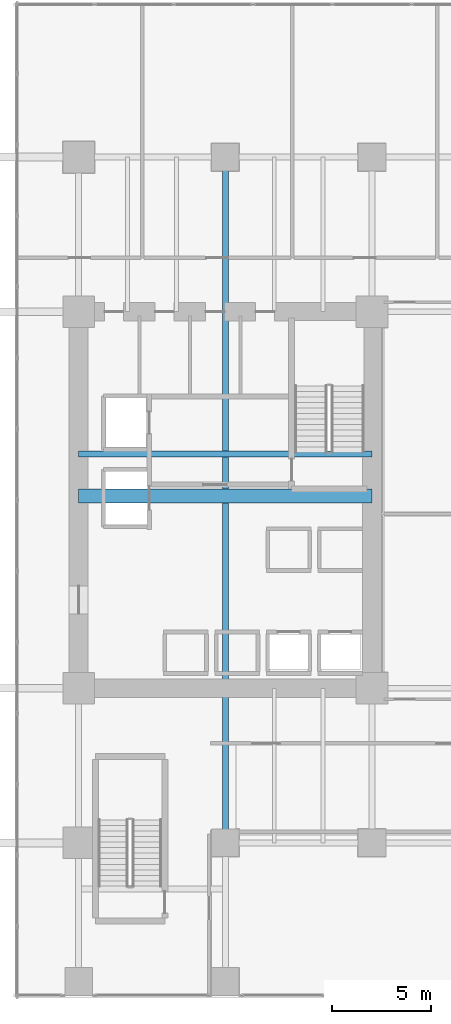
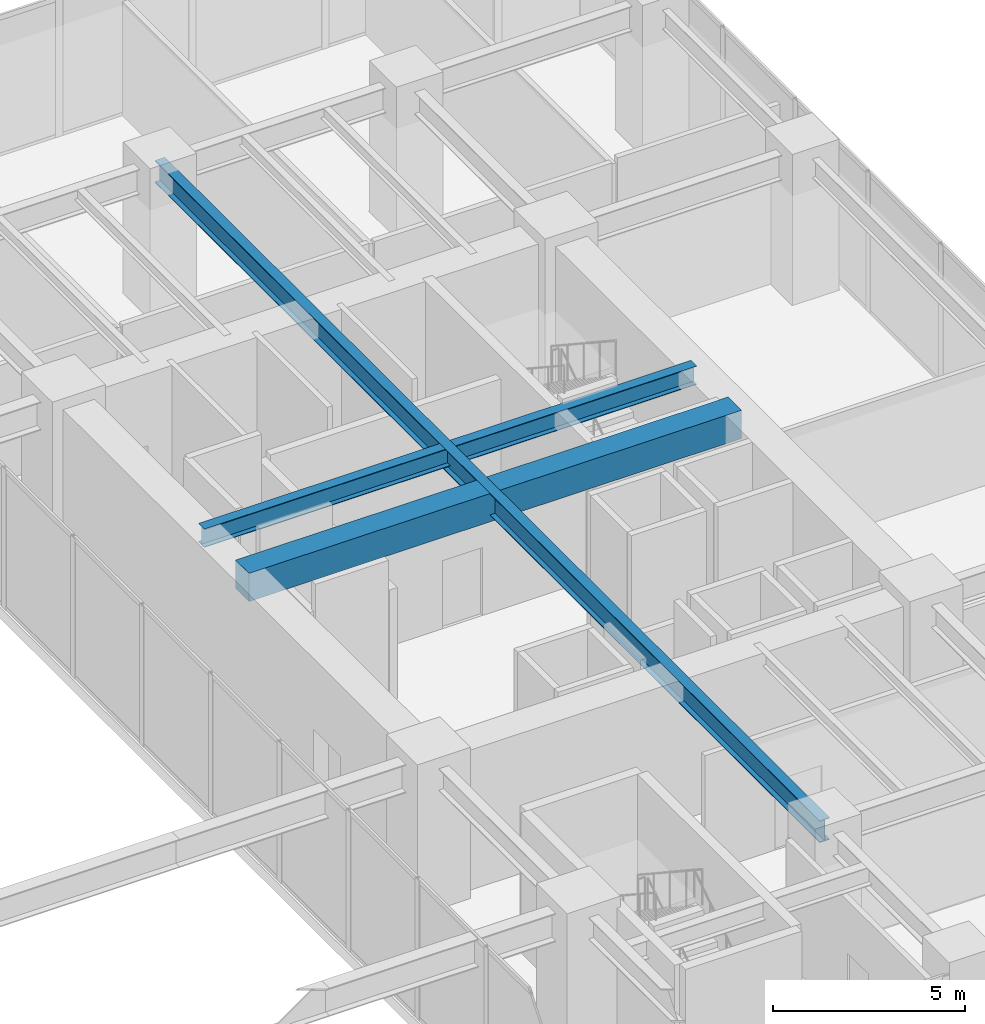
# One storey, part 14 of 39: 3 beams.
"""IFC4 building model written with IfcOpenShell, lengths in metres."""

from ifc_helpers import new_model, si_unit, direction, frame, origin, origin_2d, place, context, subcontext, project, spatial, rectangle, i_section, extrude, source, transform, mapped, material, material_profile, profile_set, type_object, type_shapes, element, save


model = new_model("IFC4")

# Units and contexts
model_context = context("Model", 3, precision=1e-05, world=origin(), true_north=direction((0.0, 1.0)))
body_context = subcontext(model_context, "Body", "Model", "MODEL_VIEW")
ifc_project = project(units=[si_unit("LENGTHUNIT", "METRE"), si_unit("AREAUNIT", "SQUARE_METRE"), si_unit("VOLUMEUNIT", "CUBIC_METRE"), si_unit("PLANEANGLEUNIT", "RADIAN"), si_unit("MASSUNIT", "GRAM", prefix="KILO")], contexts=[model_context])

# Site, building, storey
site_placement = place(None, origin())
site = spatial("IfcSite", under=ifc_project, at=site_placement, CompositionType="ELEMENT")
building_placement = place(site_placement, origin())
building = spatial("IfcBuilding", under=site, at=building_placement, Name="Haelvirn Gate Laboratories", CompositionType="ELEMENT")
storey_placement = place(building_placement, frame((0.0, 0.0, 15.0)))
storey = spatial("IfcBuildingStorey", under=building, at=storey_placement, Name="L04", CompositionType="ELEMENT", Elevation=15.0)

# Beams
ifc_material_1 = material(Name="Concrete C60/75", Category="concrete")
ifc_material_profile_1 = material_profile(ifc_material_1, rectangle(XDim=0.699951171875, YDim=0.89990234375, at=origin_2d()), Name="RCB-700x900")
ifc_profile_set_1 = profile_set([ifc_material_profile_1], Name="Concrete C60/75")
beam_type_1 = type_object("IfcBeamType", Name="BM-RCB-900", PredefinedType="LINTEL", material=ifc_profile_set_1)
shared_shape_1 = source(origin(), body_context, "Body", "SweptSolid", [
    extrude(rectangle(XDim=0.699951171875, YDim=0.89990234375, at=origin_2d()), origin(), (0.0, 0.0, 1.0), 14.7998046875),
])
type_shapes(beam_type_1, [shared_shape_1])
beam_1_placement = place(storey_placement, frame((52.60009765625, 24.5, 4.0), z_axis=(1.0, 0.0, 0.0), x_axis=(0.0, 1.0, 0.0)))
element("IfcBeam", 1, at=beam_1_placement, inside=storey, type_object=beam_type_1, Name="L04 East Core Coupling Beam", PredefinedType="LINTEL", context=body_context, shape_type="MappedRepresentation", body=[
    mapped(shared_shape_1, transform((0.0, 0.0, 0.0), scale=1.0)),
])
ifc_material_2 = material(Name="Steel SM355", Category="steel")
ifc_material_profile_2 = material_profile(ifc_material_2, i_section(OverallWidth=0.300048828125, OverallDepth=0.587890625, WebThickness=0.011962890625, FlangeThickness=0.02001953125, at=origin_2d()), Name="H-588x300x12x20")
ifc_profile_set_2 = profile_set([ifc_material_profile_2], Name="Steel SM355")
beam_type_2 = type_object("IfcBeamType", Name="BM-G-588", PredefinedType="BEAM", material=ifc_profile_set_2)
shared_shape_2 = source(origin(), body_context, "Body", "SweptSolid", [
    extrude(i_section(OverallWidth=0.300048828125, OverallDepth=0.587890625, WebThickness=0.011962890625, FlangeThickness=0.02001953125, at=origin_2d()), origin(), (0.0, 0.0, 1.0), 14.7998046875),
])
type_shapes(beam_type_2, [shared_shape_2])
beam_2_placement = place(storey_placement, frame((52.60009765625, 26.6201171875, 4.156005859375), z_axis=(1.0, 0.0, 0.0), x_axis=(0.0, 1.0, 0.0)))
element("IfcBeam", 2, at=beam_2_placement, inside=storey, type_object=beam_type_2, Name="L04 Stair ST2 Landing Header", PredefinedType="BEAM", context=body_context, shape_type="MappedRepresentation", body=[
    mapped(shared_shape_2, transform((0.0, 0.0, 0.0), scale=1.0)),
])
ifc_material_profile_3 = material_profile(ifc_material_2, i_section(OverallWidth=0.300048828125, OverallDepth=0.699951171875, WebThickness=0.012939453125, FlangeThickness=0.02392578125, at=origin_2d()), Name="H-700x300x13x24")
ifc_profile_set_3 = profile_set([ifc_material_profile_3], Name="Steel SM355")
beam_type_3 = type_object("IfcBeamType", Name="BM-G-700", PredefinedType="BEAM", material=ifc_profile_set_3)
shared_shape_3 = source(origin(), body_context, "Body", "SweptSolid", [
    extrude(i_section(OverallWidth=0.300048828125, OverallDepth=0.699951171875, WebThickness=0.012939453125, FlangeThickness=0.02392578125, at=origin_2d()), origin(), (0.0, 0.0, 1.0), 34.60009765625),
])
type_shapes(beam_type_3, [shared_shape_3])
beam_3_placement = place(storey_placement, frame((60.0, 7.0, 4.10009765625), z_axis=(0.0, 1.0, 0.0), x_axis=(-1.0, 0.0, 0.0)))
element("IfcBeam", 3, at=beam_3_placement, inside=storey, type_object=beam_type_3, Name="L04 Frame Girder X60.0 (7.0-41.6)", PredefinedType="BEAM", context=body_context, shape_type="MappedRepresentation", body=[
    mapped(shared_shape_3, transform((0.0, 0.0, 0.0), scale=1.0)),
])

save(model, "model.ifc")
